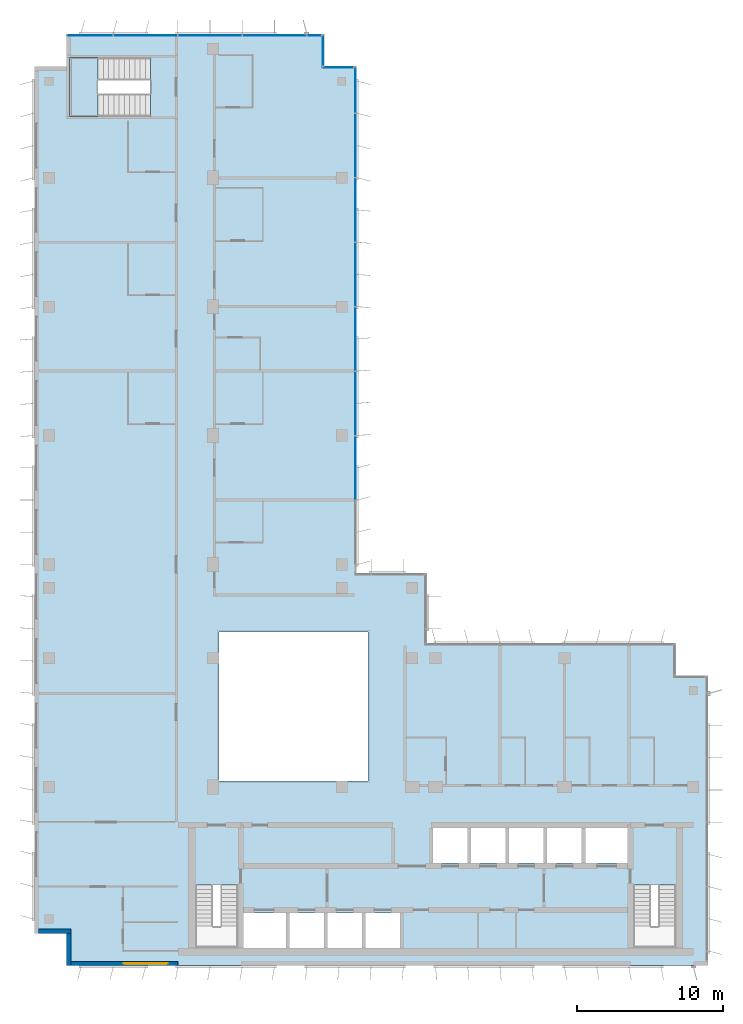
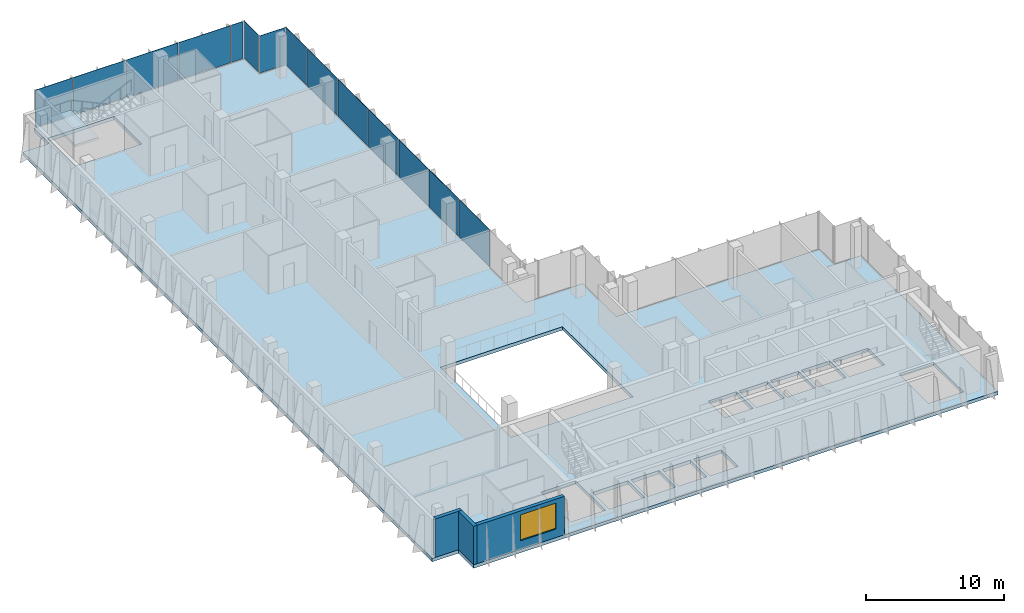
# One storey, part 8 of 15: 14 plates, 3 walls, 2 slabs, 1 window, 1 opening, 5 elements without a shape of their own.
"""IFC4 building model written with IfcOpenShell, lengths in metres."""

from ifc_helpers import new_model, si_unit, direction, frame, frame_2d, origin, origin_2d, place, context, subcontext, project, spatial, polyline, rectangle, outline, extrude, source, transform, mapped, material, layer, layer_set, type_object, element, fill, aggregate, save


model = new_model("IFC4")

# Units and contexts
model_context = context("Model", 3, precision=1e-05, world=origin(), true_north=direction((0.0, 1.0)))
body_context = subcontext(model_context, "Body", "Model", "MODEL_VIEW")
ifc_project = project(units=[si_unit("LENGTHUNIT", "METRE"), si_unit("AREAUNIT", "SQUARE_METRE"), si_unit("VOLUMEUNIT", "CUBIC_METRE"), si_unit("PLANEANGLEUNIT", "RADIAN"), si_unit("MASSUNIT", "GRAM", prefix="KILO")], contexts=[model_context])

# Site, building, storey
site_placement = place(None, origin())
site = spatial("IfcSite", under=ifc_project, at=site_placement, CompositionType="ELEMENT")
building_placement = place(site_placement, origin())
building = spatial("IfcBuilding", under=site, at=building_placement, Name="Kemantara Hotel Tower", CompositionType="ELEMENT")
storey_placement = place(building_placement, frame((0.0, 0.0, 301.800048828125)))
storey = spatial("IfcBuildingStorey", under=building, at=storey_placement, Name="L76", CompositionType="ELEMENT", Elevation=301.800048828125)

# Slab
ifc_material_1 = material(Name="Concrete fc 40 MPa", Category="concrete")
ifc_layer_1 = layer(ifc_material_1, 0.300048828125)
ifc_layer_set_1 = layer_set([ifc_layer_1], Name="Concrete fc 40 MPa")
slab_type_1 = type_object("IfcSlabType", Name="POST-TENSIONED FLAT PLATE 300", PredefinedType="FLOOR", material=ifc_layer_set_1)
slab_1_placement = place(storey_placement, frame((0.0, 0.0, -0.300048828125)))
element("IfcSlab", 1, at=slab_1_placement, inside=storey, type_object=slab_type_1, Name="FLOOR SLAB L76", PredefinedType="FLOOR", context=body_context, shape_type="SweptSolid", body=[
    extrude(outline(polyline([(22.0, 26.800048828125), (22.0, 61.39990234375), (19.800048828125, 61.39990234375), (19.800048828125, 63.60009765625), (2.199951171875, 63.60009765625), (2.199951171875, 61.39990234375), (0.0, 61.39990234375), (0.0, 2.199951171875), (2.199951171875, 2.199951171875), (2.199951171875, 0.0), (46.0, 0.0), (46.0, 19.800048828125), (43.800048828125, 19.800048828125), (43.800048828125, 22.0), (26.800048828125, 22.0), (26.800048828125, 26.800048828125), (22.0, 26.800048828125)]), holes=[polyline([(17.175048828125, 3.60009765625), (17.175048828125, 1.199951171875), (14.22509765625, 1.199951171875), (14.22509765625, 3.60009765625), (17.175048828125, 3.60009765625)]), polyline([(19.77490234375, 1.199951171875), (17.425048828125, 1.199951171875), (17.425048828125, 3.60009765625), (19.77490234375, 3.60009765625), (19.77490234375, 1.199951171875)]), polyline([(22.375, 1.199951171875), (20.02490234375, 1.199951171875), (20.02490234375, 3.60009765625), (22.375, 3.60009765625), (22.375, 1.199951171875)]), polyline([(24.97509765625, 3.60009765625), (24.97509765625, 1.199951171875), (22.625, 1.199951171875), (22.625, 3.60009765625), (24.97509765625, 3.60009765625)]), polyline([(11.0, 1.199951171875), (11.0, 5.49951171875), (13.89990234375, 5.49951171875), (13.89990234375, 1.199951171875), (11.0, 1.199951171875)]), polyline([(22.800048828125, 12.60009765625), (12.60009765625, 12.60009765625), (12.60009765625, 22.800048828125), (22.800048828125, 22.800048828125), (22.800048828125, 12.60009765625)]), polyline([(2.39990234375, 58.0), (2.39990234375, 62.0), (7.949462890625, 62.0), (7.949462890625, 58.0), (2.39990234375, 58.0)]), polyline([(40.89990234375, 1.199951171875), (40.89990234375, 5.49951171875), (43.800048828125, 5.49951171875), (43.800048828125, 1.199951171875), (40.89990234375, 1.199951171875)]), polyline([(29.574951171875, 7.0), (27.22509765625, 7.0), (27.22509765625, 9.39990234375), (29.574951171875, 9.39990234375), (29.574951171875, 7.0)]), polyline([(32.175048828125, 7.0), (29.824951171875, 7.0), (29.824951171875, 9.39990234375), (32.175048828125, 9.39990234375), (32.175048828125, 7.0)]), polyline([(34.77490234375, 7.0), (32.425048828125, 7.0), (32.425048828125, 9.39990234375), (34.77490234375, 9.39990234375), (34.77490234375, 7.0)]), polyline([(37.375, 7.0), (35.02490234375, 7.0), (35.02490234375, 9.39990234375), (37.375, 9.39990234375), (37.375, 7.0)]), polyline([(40.574951171875, 7.0), (37.625, 7.0), (37.625, 9.39990234375), (40.574951171875, 9.39990234375), (40.574951171875, 7.0)])]), origin(), (0.0, 0.0, 1.0), 0.300048828125),
])

# Stair, slab
stair_type = type_object("IfcStairType", Name="Stair 1550 wide 22 risers of 168 x 360 mm", PredefinedType="HALF_TURN_STAIR", material=ifc_material_1)
stair_placement = place(storey_placement, origin())
stair = element("IfcStair", 2, at=stair_placement, inside=storey, type_object=stair_type, Name="L76 Exit stair ST4", PredefinedType="HALF_TURN_STAIR")
ifc_layer_2 = layer(ifc_material_1, 0.199951171875)
ifc_layer_set_2 = layer_set([ifc_layer_2], Name="Concrete fc 40 MPa")
slab_type_2 = type_object("IfcSlabType", Name="Stair landing 200 mm", PredefinedType="LANDING", material=ifc_layer_set_2)
slab_2_placement = place(storey_placement, frame((0.0, 0.0, 1.64990234375)))
slab_2 = element("IfcSlab", 3, at=slab_2_placement, type_object=slab_type_2, Name="ST4 landing 1", PredefinedType="LANDING", context=body_context, shape_type="SweptSolid", body=[
    extrude(outline(polyline([(4.35009765625, 62.0), (2.39990234375, 62.0), (2.39990234375, 58.0), (4.35009765625, 58.0), (4.35009765625, 62.0)])), origin(), (0.0, 0.0, 1.0), 0.199951171875),
])
aggregate(stair, [slab_2])

# Curtain wall, plates
ifc_material_2 = material(Name="Low-E tinted double insulated glass 36 mm", Category="glass")
curtain_wall_type = type_object("IfcCurtainWallType", Name="TOWER CURTAIN WALL, FRONT FACES", PredefinedType="USERDEFINED", material=ifc_material_2)
curtain_wall_1_placement = place(storey_placement, origin())
curtain_wall_1 = element("IfcCurtainWall", 4, at=curtain_wall_1_placement, inside=storey, type_object=curtain_wall_type, Name="CW4 L76 T4-R02-1", ObjectType="TOWER CURTAIN WALL, FRONT FACES", PredefinedType="USERDEFINED")
ifc_layer_3 = layer(ifc_material_2, 0.035888671875)
ifc_layer_set_3 = layer_set([ifc_layer_3], Name="Low-E tinted double insulated glass 36 mm")
plate_type = type_object("IfcPlateType", Name="TOWER CURTAIN WALL, FRONT FACES PANEL", PredefinedType="CURTAIN_PANEL", material=ifc_layer_set_3)
shared_shape_1 = source(origin(), body_context, "Body", "SweptSolid", [
    extrude(rectangle(XDim=4.340087890625, YDim=0.035888671875, at=origin_2d()), origin(), (0.0, 0.0, 1.0), 3.280029296875),
])
plate_1_placement = place(storey_placement, frame((16.39990234375, 63.52490234375, 0.1201171875), z_axis=(0.0, 0.0, 1.0), x_axis=(-1.0, 0.0, 0.0)))
plate_1 = element("IfcPlate", 5, at=plate_1_placement, type_object=plate_type, Name="CW4 glass panel T4-R02-1.2", PredefinedType="CURTAIN_PANEL", context=body_context, shape_type="MappedRepresentation", body=[
    mapped(shared_shape_1, transform((0.0, 0.0, 0.0))),
])
plate_2_placement = place(storey_placement, frame((12.0, 63.52490234375, 0.1201171875), z_axis=(0.0, 0.0, 1.0), x_axis=(-1.0, 0.0, 0.0)))
plate_2 = element("IfcPlate", 6, at=plate_2_placement, type_object=plate_type, Name="CW4 glass panel T4-R02-1.3", PredefinedType="CURTAIN_PANEL", context=body_context, shape_type="MappedRepresentation", body=[
    mapped(shared_shape_1, transform((0.0, 0.0, 0.0))),
])
plate_3_placement = place(storey_placement, frame((7.60009765625, 63.52490234375, 0.1201171875), z_axis=(0.0, 0.0, 1.0), x_axis=(-1.0, 0.0, 0.0)))
plate_3 = element("IfcPlate", 7, at=plate_3_placement, type_object=plate_type, Name="CW4 glass panel T4-R02-1.4", PredefinedType="CURTAIN_PANEL", context=body_context, shape_type="MappedRepresentation", body=[
    mapped(shared_shape_1, transform((0.0, 0.0, 0.0))),
])

curtain_wall_2_placement = place(storey_placement, origin())
curtain_wall_2 = element("IfcCurtainWall", 8, at=curtain_wall_2_placement, inside=storey, type_object=curtain_wall_type, Name="CW4 L76 T4-R15-1", ObjectType="TOWER CURTAIN WALL, FRONT FACES", PredefinedType="USERDEFINED")
plate_4_placement = place(storey_placement, frame((21.925048828125, 34.0, 0.1201171875), z_axis=(0.0, 0.0, 1.0), x_axis=(0.0, 1.0, 0.0)))
plate_4 = element("IfcPlate", 9, at=plate_4_placement, type_object=plate_type, Name="CW4 glass panel T4-R15-1.3", PredefinedType="CURTAIN_PANEL", context=body_context, shape_type="MappedRepresentation", body=[
    mapped(shared_shape_1, transform((0.0, 0.0, 0.0))),
])
plate_5_placement = place(storey_placement, frame((21.925048828125, 38.39990234375, 0.1201171875), z_axis=(0.0, 0.0, 1.0), x_axis=(0.0, 1.0, 0.0)))
plate_5 = element("IfcPlate", 10, at=plate_5_placement, type_object=plate_type, Name="CW4 glass panel T4-R15-1.4", PredefinedType="CURTAIN_PANEL", context=body_context, shape_type="MappedRepresentation", body=[
    mapped(shared_shape_1, transform((0.0, 0.0, 0.0))),
])
plate_6_placement = place(storey_placement, frame((21.925048828125, 42.800048828125, 0.1201171875), z_axis=(0.0, 0.0, 1.0), x_axis=(0.0, 1.0, 0.0)))
plate_6 = element("IfcPlate", 11, at=plate_6_placement, type_object=plate_type, Name="CW4 glass panel T4-R15-1.5", PredefinedType="CURTAIN_PANEL", context=body_context, shape_type="MappedRepresentation", body=[
    mapped(shared_shape_1, transform((0.0, 0.0, 0.0))),
])
plate_7_placement = place(storey_placement, frame((21.925048828125, 47.199951171875, 0.1201171875), z_axis=(0.0, 0.0, 1.0), x_axis=(0.0, 1.0, 0.0)))
plate_7 = element("IfcPlate", 12, at=plate_7_placement, type_object=plate_type, Name="CW4 glass panel T4-R15-1.6", PredefinedType="CURTAIN_PANEL", context=body_context, shape_type="MappedRepresentation", body=[
    mapped(shared_shape_1, transform((0.0, 0.0, 0.0))),
])
plate_8_placement = place(storey_placement, frame((21.925048828125, 51.60009765625, 0.1201171875), z_axis=(0.0, 0.0, 1.0), x_axis=(0.0, 1.0, 0.0)))
plate_8 = element("IfcPlate", 13, at=plate_8_placement, type_object=plate_type, Name="CW4 glass panel T4-R15-1.7", PredefinedType="CURTAIN_PANEL", context=body_context, shape_type="MappedRepresentation", body=[
    mapped(shared_shape_1, transform((0.0, 0.0, 0.0))),
])
plate_9_placement = place(storey_placement, frame((21.925048828125, 56.0, 0.1201171875), z_axis=(0.0, 0.0, 1.0), x_axis=(0.0, 1.0, 0.0)))
plate_9 = element("IfcPlate", 14, at=plate_9_placement, type_object=plate_type, Name="CW4 glass panel T4-R15-1.8", PredefinedType="CURTAIN_PANEL", context=body_context, shape_type="MappedRepresentation", body=[
    mapped(shared_shape_1, transform((0.0, 0.0, 0.0))),
])

# Plate
shared_shape_2 = source(origin(), body_context, "Body", "SweptSolid", [
    extrude(rectangle(XDim=3.110107421875, YDim=0.035888671875, at=origin_2d()), origin(), (0.0, 0.0, 1.0), 3.280029296875),
])
plate_10_placement = place(storey_placement, frame((3.81494140625, 63.52490234375, 0.1201171875), z_axis=(0.0, 0.0, 1.0), x_axis=(-1.0, 0.0, 0.0)))
plate_10 = element("IfcPlate", 15, at=plate_10_placement, type_object=plate_type, Name="CW4 glass panel T4-R02-1.5", PredefinedType="CURTAIN_PANEL", context=body_context, shape_type="MappedRepresentation", body=[
    mapped(shared_shape_2, transform((0.0, 0.0, 0.0))),
])

plate_11_placement = place(storey_placement, frame((21.925048828125, 59.784912109375, 0.1201171875), z_axis=(0.0, 0.0, 1.0), x_axis=(0.0, 1.0, 0.0)))
plate_11 = element("IfcPlate", 16, at=plate_11_placement, type_object=plate_type, Name="CW4 glass panel T4-R15-1.9", PredefinedType="CURTAIN_PANEL", context=body_context, shape_type="MappedRepresentation", body=[
    mapped(shared_shape_2, transform((0.0, 0.0, 0.0))),
])

aggregate(curtain_wall_2, [plate_4, plate_5, plate_6, plate_7, plate_8, plate_9, plate_11])

# Curtain wall, plate
curtain_wall_3_placement = place(storey_placement, origin())
curtain_wall_3 = element("IfcCurtainWall", 17, at=curtain_wall_3_placement, inside=storey, type_object=curtain_wall_type, Name="CW4 L76 T4-R00-1", ObjectType="TOWER CURTAIN WALL, FRONT FACES", PredefinedType="USERDEFINED")
shared_shape_3 = source(origin(), body_context, "Body", "SweptSolid", [
    extrude(rectangle(XDim=2.080078125, YDim=0.035888671875, at=origin_2d()), origin(), (0.0, 0.0, 1.0), 3.280029296875),
])
plate_12_placement = place(storey_placement, frame((20.75, 61.324951171875, 0.1201171875), z_axis=(0.0, 0.0, 1.0), x_axis=(-1.0, 0.0, 0.0)))
plate_12 = element("IfcPlate", 18, at=plate_12_placement, type_object=plate_type, Name="CW4 glass panel T4-R00-1.1", PredefinedType="CURTAIN_PANEL", context=body_context, shape_type="MappedRepresentation", body=[
    mapped(shared_shape_3, transform((0.0, 0.0, 0.0))),
])
aggregate(curtain_wall_3, [plate_12])

curtain_wall_4_placement = place(storey_placement, origin())
curtain_wall_4 = element("IfcCurtainWall", 19, at=curtain_wall_4_placement, inside=storey, type_object=curtain_wall_type, Name="CW4 L76 T4-R01-1", ObjectType="TOWER CURTAIN WALL, FRONT FACES", PredefinedType="USERDEFINED")
plate_13_placement = place(storey_placement, frame((19.72509765625, 62.5, 0.1201171875), z_axis=(0.0, 0.0, 1.0), x_axis=(0.0, 1.0, 0.0)))
plate_13 = element("IfcPlate", 20, at=plate_13_placement, type_object=plate_type, Name="CW4 glass panel T4-R01-1.1", PredefinedType="CURTAIN_PANEL", context=body_context, shape_type="MappedRepresentation", body=[
    mapped(shared_shape_3, transform((0.0, 0.0, 0.0))),
])
aggregate(curtain_wall_4, [plate_13])

# Plate
shared_shape_4 = source(origin(), body_context, "Body", "SweptSolid", [
    extrude(rectangle(XDim=0.9599609375, YDim=0.035888671875, at=origin_2d()), origin(), (0.0, 0.0, 1.0), 3.280029296875),
])
plate_14_placement = place(storey_placement, frame((19.110107421875, 63.52490234375, 0.1201171875), z_axis=(0.0, 0.0, 1.0), x_axis=(-1.0, 0.0, 0.0)))
plate_14 = element("IfcPlate", 21, at=plate_14_placement, type_object=plate_type, Name="CW4 glass panel T4-R02-1.1", PredefinedType="CURTAIN_PANEL", context=body_context, shape_type="MappedRepresentation", body=[
    mapped(shared_shape_4, transform((0.0, 0.0, 0.0))),
])

aggregate(curtain_wall_1, [plate_14, plate_1, plate_2, plate_3, plate_10])

# Walls
ifc_material_3 = material(Name="Bronze anodised aluminium cladding on insulated steel stud wall", Category="steel")
ifc_layer_4 = layer(ifc_material_3, 0.300048828125)
ifc_layer_set_4 = layer_set([ifc_layer_4], Name="Bronze anodised aluminium cladding on insulated steel stud wall")
wall_type = type_object("IfcWallType", Name="BRONZE METAL-CLAD EXTERNAL WALL 300", PredefinedType="STANDARD", material=ifc_layer_set_4)
for number, where, z_axis, x_axis, name in (
    (22, (0.300048828125, 2.35009765625, 0.0), (0.0, 0.0, 1.0), (1.0, 0.0, 0.0), "EXTERNAL WALL L76 T4-R06"),
    (23, (2.35009765625, 2.199951171875, 0.0), (0.0, 0.0, 1.0), (0.0, -1.0, 0.0), "EXTERNAL WALL L76 T4-R07"),
):
    element("IfcWall", number, at=place(storey_placement, frame(where, z_axis=z_axis, x_axis=x_axis)), inside=storey, type_object=wall_type, Name=name, PredefinedType="STANDARD", context=body_context, shape_type="SweptSolid", body=[
        extrude(rectangle(XDim=2.199951171875, YDim=0.300048828125, at=frame_2d((1.10009765625, 0.0))), origin(), (0.0, 0.0, 1.0), 3.39990234375),
    ])

# Wall, opening, window
wall_placement = place(storey_placement, frame((2.5, 0.14990234375, 0.0), z_axis=(0.0, 0.0, 1.0), x_axis=(1.0, 0.0, 0.0)))
wall = element("IfcWall", 24, at=wall_placement, inside=storey, type_object=wall_type, Name="EXTERNAL WALL L76 T4-R08", PredefinedType="STANDARD", context=body_context, shape_type="SweptSolid", body=[
    extrude(rectangle(XDim=7.300048828125, YDim=0.300048828125, at=frame_2d((3.64990234375, 0.0))), origin(), (0.0, 0.0, 1.0), 3.39990234375),
])
opening_placement = place(wall_placement, frame((3.60009765625, 0.0, 0.75)))
opening = element("IfcOpeningElement", 25, at=opening_placement, cuts=wall, Name="Opening W1", PredefinedType="OPENING", context=body_context, shape_type="SweptSolid", body=[
    extrude(rectangle(XDim=3.0, YDim=2.300048828125, at=frame_2d((1.5, 1.14990234375))), frame((0.0, 0.159912109375, 0.0), z_axis=(0.0, -1.0, 0.0), x_axis=(1.0, 0.0, 0.0)), (0.0, 0.0, 1.0), 0.320068359375),
])
ifc_material_4 = material(Name="Low-E tinted double insulated glass in bronze anodised aluminium frame", Category="aluminium")
window_type = type_object("IfcWindowType", Name="CHICAGO WINDOW, TRIPLE PANEL 3000x2300", PartitioningType="TRIPLE_PANEL_VERTICAL", PredefinedType="WINDOW", material=ifc_material_4)
window_placement = place(opening_placement, origin())
window = element("IfcWindow", 26, at=window_placement, inside=storey, type_object=window_type, Name="CHICAGO WINDOW L76 T4-R08-54", OverallHeight=2.300048828125, OverallWidth=3.0, PartitioningType="SINGLE_PANEL", PredefinedType="WINDOW", context=body_context, shape_type="SweptSolid", body=[
    extrude(rectangle(XDim=3.0, YDim=2.300048828125, at=frame_2d((1.5, 1.14990234375))), frame((0.0, 0.030029296875, 0.0), z_axis=(0.0, -1.0, 0.0), x_axis=(1.0, 0.0, 0.0)), (0.0, 0.0, 1.0), 0.06005859375),
])
fill(opening, window)

save(model, "model.ifc")
